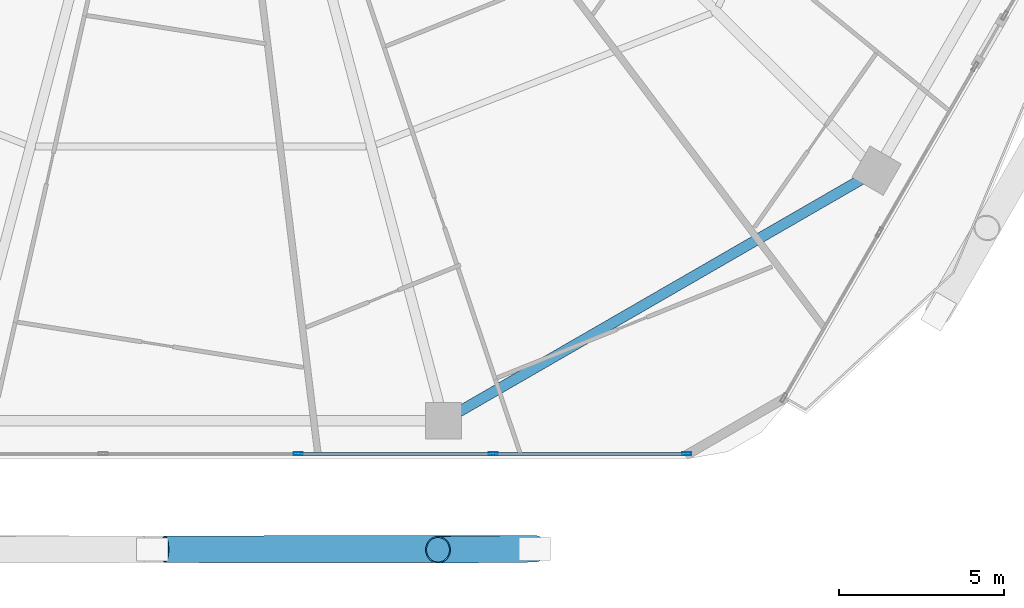
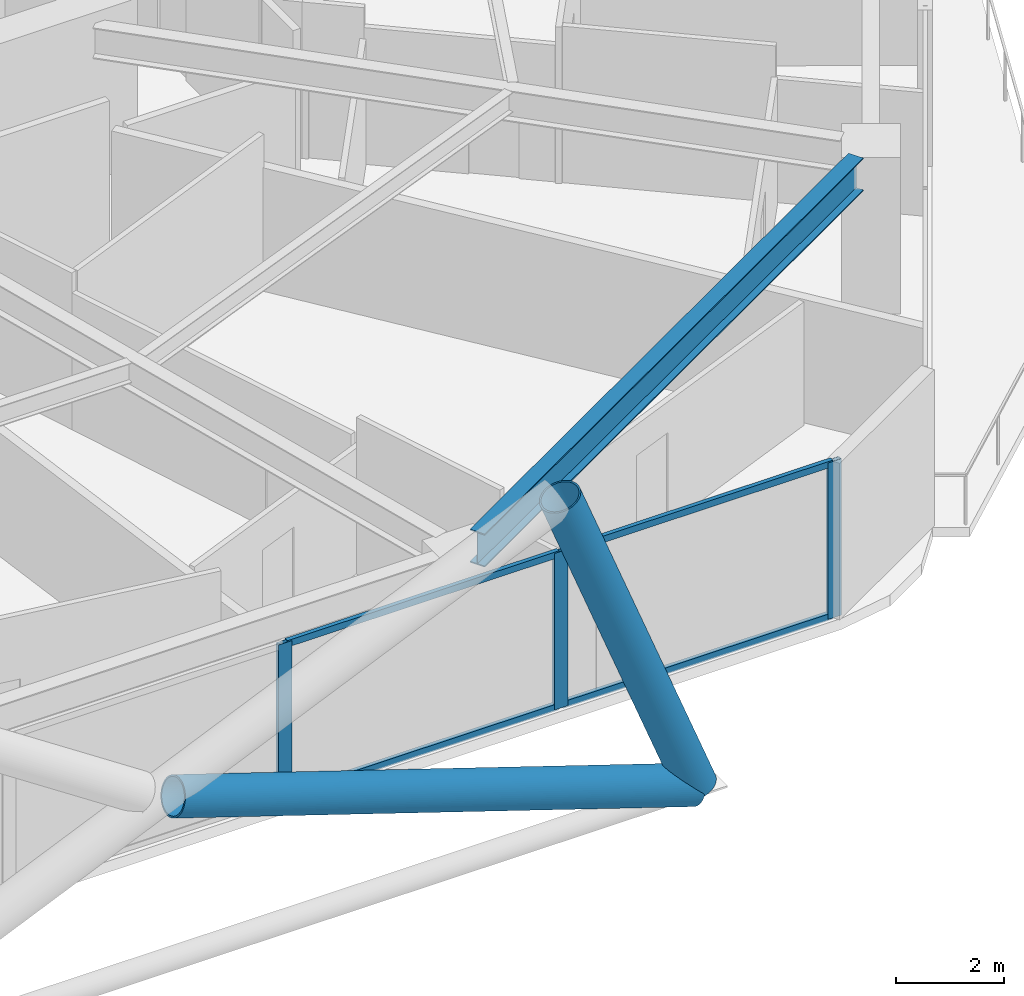
# One storey, part 8 of 36: 9 members, 1 beam, 1 element without a shape of its own.
"""IFC4 building model written with IfcOpenShell, lengths in metres."""

from ifc_helpers import new_model, si_unit, direction, frame, origin, origin_2d, place, context, subcontext, project, spatial, hollow_rectangle, hollow_circle, i_section, extrude, material, material_profile, profile_set, type_object, element, aggregate, save


model = new_model("IFC4")

# Units and contexts
model_context = context("Model", 3, precision=1e-05, world=origin(), true_north=direction((0.0, 1.0)))
body_context = subcontext(model_context, "Body", "Model", "MODEL_VIEW")
ifc_project = project(units=[si_unit("LENGTHUNIT", "METRE"), si_unit("AREAUNIT", "SQUARE_METRE"), si_unit("VOLUMEUNIT", "CUBIC_METRE"), si_unit("PLANEANGLEUNIT", "RADIAN"), si_unit("MASSUNIT", "GRAM", prefix="KILO")], contexts=[model_context])

# Site, building, storey
site_placement = place(None, origin())
site = spatial("IfcSite", under=ifc_project, at=site_placement, CompositionType="ELEMENT")
building_placement = place(site_placement, origin())
building = spatial("IfcBuilding", under=site, at=building_placement, Name="Zuhravey Tower", CompositionType="ELEMENT")
storey_placement = place(building_placement, frame((0.0, 0.0, 107.60009765625)))
storey = spatial("IfcBuildingStorey", under=building, at=storey_placement, Name="L26", CompositionType="ELEMENT", Elevation=107.60009765625)

# Curtain wall, members
ifc_material_1 = material(Name="Thermally broken anodised aluminium", Category="aluminium")
curtain_wall_type = type_object("IfcCurtainWallType", Name="Zone 1-2 Residential Curtain Wall CW3", PredefinedType="NOTDEFINED", material=ifc_material_1)
curtain_wall_placement = place(storey_placement, origin())
curtain_wall = element("IfcCurtainWall", 1, at=curtain_wall_placement, inside=storey, type_object=curtain_wall_type, Name="L26 CW3 CW-L26-F5-1", PredefinedType="NOTDEFINED")
ifc_material_2 = material(Name="Anodised aluminium", Category="aluminium")
ifc_material_profile_1 = material_profile(ifc_material_2, hollow_rectangle(XDim=0.090087890625, YDim=0.284912109375, WallThickness=0.0048828125, at=origin_2d()), Name="ALU-RHS-90x285x5")
ifc_profile_set_1 = profile_set([ifc_material_profile_1], Name="Anodised aluminium")
member_type_1 = type_object("IfcMemberType", Name="Curtain-Wall Mullion 90x180", PredefinedType="MULLION", material=ifc_profile_set_1)
member_1_placement = place(storey_placement, frame((50.75439453125, 3.04150390625, 0.0), z_axis=(0.0, 0.0, 1.0), x_axis=(0.0, -1.0, 0.0)))
member_1 = element("IfcMember", 2, at=member_1_placement, type_object=member_type_1, Name="CW3 mullion 1", PredefinedType="MULLION", context=body_context, shape_type="SweptSolid", body=[
    extrude(hollow_rectangle(XDim=0.090087890625, YDim=0.284912109375, WallThickness=0.0048828125, at=origin_2d()), origin(), (0.0, 0.0, 1.0), 3.5498046875),
])
member_2_placement = place(storey_placement, frame((44.879638671875, 3.04150390625, 0.0), z_axis=(0.0, 0.0, 1.0), x_axis=(0.0, -1.0, 0.0)))
member_2 = element("IfcMember", 3, at=member_2_placement, type_object=member_type_1, Name="CW3 mullion 2", PredefinedType="MULLION", context=body_context, shape_type="SweptSolid", body=[
    extrude(hollow_rectangle(XDim=0.090087890625, YDim=0.284912109375, WallThickness=0.0048828125, at=origin_2d()), origin(), (0.0, 0.0, 1.0), 3.5498046875),
])
member_3_placement = place(storey_placement, frame((38.9599609375, 3.04150390625, 0.0), z_axis=(0.0, 0.0, 1.0), x_axis=(0.0, -1.0, 0.0)))
member_3 = element("IfcMember", 4, at=member_3_placement, type_object=member_type_1, Name="CW3 mullion 3", PredefinedType="MULLION", context=body_context, shape_type="SweptSolid", body=[
    extrude(hollow_rectangle(XDim=0.090087890625, YDim=0.284912109375, WallThickness=0.0048828125, at=origin_2d()), origin(), (0.0, 0.0, 1.0), 3.5498046875),
])
ifc_material_profile_2 = material_profile(ifc_material_2, hollow_rectangle(XDim=0.090087890625, YDim=0.14990234375, WallThickness=0.0048828125, at=origin_2d()), Name="ALU-RHS-90x150x5")
ifc_profile_set_2 = profile_set([ifc_material_profile_2], Name="Anodised aluminium")
member_type_2 = type_object("IfcMemberType", Name="Curtain-Wall Transom 90x150", PredefinedType="USERDEFINED", material=ifc_profile_set_2)
member_4_placement = place(storey_placement, frame((50.70947265625, 3.04150390625, 0.044921875), z_axis=(-1.0, 0.0, 0.0), x_axis=(0.0, -1.0, 0.0)))
member_4 = element("IfcMember", 5, at=member_4_placement, type_object=member_type_2, Name="CW3 transom 1.1", ObjectType="TRANSOM", PredefinedType="USERDEFINED", context=body_context, shape_type="SweptSolid", body=[
    extrude(hollow_rectangle(XDim=0.090087890625, YDim=0.14990234375, WallThickness=0.0048828125, at=origin_2d()), origin(), (0.0, 0.0, 1.0), 5.78466796875),
])
member_5_placement = place(storey_placement, frame((50.70947265625, 3.04150390625, 3.5048828125), z_axis=(-1.0, 0.0, 0.0), x_axis=(0.0, -1.0, 0.0)))
member_5 = element("IfcMember", 6, at=member_5_placement, type_object=member_type_2, Name="CW3 transom 1.2", ObjectType="TRANSOM", PredefinedType="USERDEFINED", context=body_context, shape_type="SweptSolid", body=[
    extrude(hollow_rectangle(XDim=0.090087890625, YDim=0.14990234375, WallThickness=0.0048828125, at=origin_2d()), origin(), (0.0, 0.0, 1.0), 5.78466796875),
])
member_6_placement = place(storey_placement, frame((44.834716796875, 3.04150390625, 0.044921875), z_axis=(-1.0, 0.0, 0.0), x_axis=(0.0, -1.0, 0.0)))
member_6 = element("IfcMember", 7, at=member_6_placement, type_object=member_type_2, Name="CW3 transom 2.1", ObjectType="TRANSOM", PredefinedType="USERDEFINED", context=body_context, shape_type="SweptSolid", body=[
    extrude(hollow_rectangle(XDim=0.090087890625, YDim=0.14990234375, WallThickness=0.0048828125, at=origin_2d()), origin(), (0.0, 0.0, 1.0), 5.829833984375),
])
member_7_placement = place(storey_placement, frame((44.834716796875, 3.04150390625, 3.5048828125), z_axis=(-1.0, 0.0, 0.0), x_axis=(0.0, -1.0, 0.0)))
member_7 = element("IfcMember", 8, at=member_7_placement, type_object=member_type_2, Name="CW3 transom 2.2", ObjectType="TRANSOM", PredefinedType="USERDEFINED", context=body_context, shape_type="SweptSolid", body=[
    extrude(hollow_rectangle(XDim=0.090087890625, YDim=0.14990234375, WallThickness=0.0048828125, at=origin_2d()), origin(), (0.0, 0.0, 1.0), 5.829833984375),
])
aggregate(curtain_wall, [member_1, member_2, member_3, member_4, member_5, member_6, member_7])

# Members
ifc_material_3 = material(Name="Steel SM460", Category="steel")
ifc_material_profile_3 = material_profile(ifc_material_3, hollow_circle(Radius=0.406494140625, WallThickness=0.035888671875, at=origin_2d()), Name="CHS-812.8x36")
ifc_profile_set_3 = profile_set([ifc_material_profile_3], Name="Steel SM460")
member_type_3 = type_object("IfcMemberType", Name="Exoskeleton Zone 1 Diagrid CHS813x36", PredefinedType="BRACE", material=ifc_profile_set_3)
member_8_placement = place(storey_placement, frame((46.128173828125, 0.161376953125, -0.442138671875), z_axis=(-0.361079571165, -0.003675876809, 0.932527764314), x_axis=(0.010179712835, -0.999948185381, 0.0)))
element("IfcMember", 9, at=member_8_placement, inside=storey, type_object=member_type_3, Name="L26 Face 5 Diagrid Brace 4", PredefinedType="BRACE", context=body_context, shape_type="SweptSolid", body=[
    extrude(hollow_circle(Radius=0.406494140625, WallThickness=0.035888671875, at=origin_2d()), origin(), (0.0, 0.0, 1.0), 8.102783203125),
])
member_9_placement = place(storey_placement, frame((46.084716796875, 0.161376953125, -0.447021484375), z_axis=(-0.950372765072, -0.001224519952, 0.311111086205), x_axis=(0.001288461729, -0.999999169933, 0.0)))
element("IfcMember", 10, at=member_9_placement, inside=storey, type_object=member_type_3, Name="L26 Face 5 Split Diagrid Brace 3A", PredefinedType="BRACE", context=body_context, shape_type="SweptSolid", body=[
    extrude(hollow_circle(Radius=0.406494140625, WallThickness=0.035888671875, at=origin_2d()), origin(), (0.0, 0.0, 1.0), 11.76318359375),
])

# Beam
ifc_material_4 = material(Name="Steel SM355", Category="steel")
ifc_material_profile_4 = material_profile(ifc_material_4, i_section(OverallWidth=0.320068359375, OverallDepth=0.75, WebThickness=0.013916015625, FlangeThickness=0.02490234375, at=origin_2d()), Name="H-750x320x14x25")
ifc_profile_set_4 = profile_set([ifc_material_profile_4], Name="Steel SM355")
beam_type = type_object("IfcBeamType", Name="Perimeter Ring Beam H750x320", PredefinedType="BEAM", material=ifc_profile_set_4)
beam_placement = place(storey_placement, frame((43.848876953125, 4.327880859375, 3.1748046875), z_axis=(0.866017786538, 0.500013193225, 0.0), x_axis=(-0.500013193225, 0.866017786538, 0.0)))
element("IfcBeam", 11, at=beam_placement, inside=storey, type_object=beam_type, Name="L26 PB1 BM-L26-PB-10", PredefinedType="BEAM", context=body_context, shape_type="SweptSolid", body=[
    extrude(i_section(OverallWidth=0.320068359375, OverallDepth=0.75, WebThickness=0.013916015625, FlangeThickness=0.02490234375, at=origin_2d()), origin(), (0.0, 0.0, 1.0), 14.0771484375),
])

save(model, "model.ifc")
